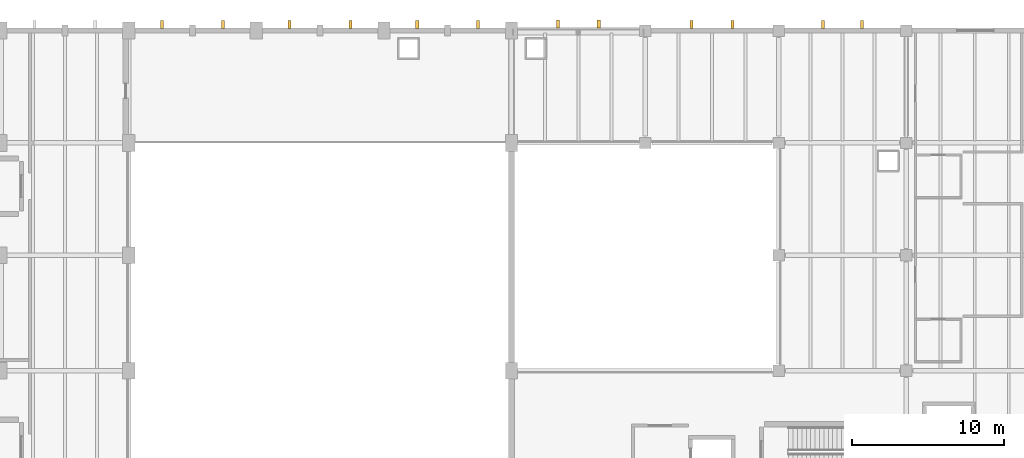
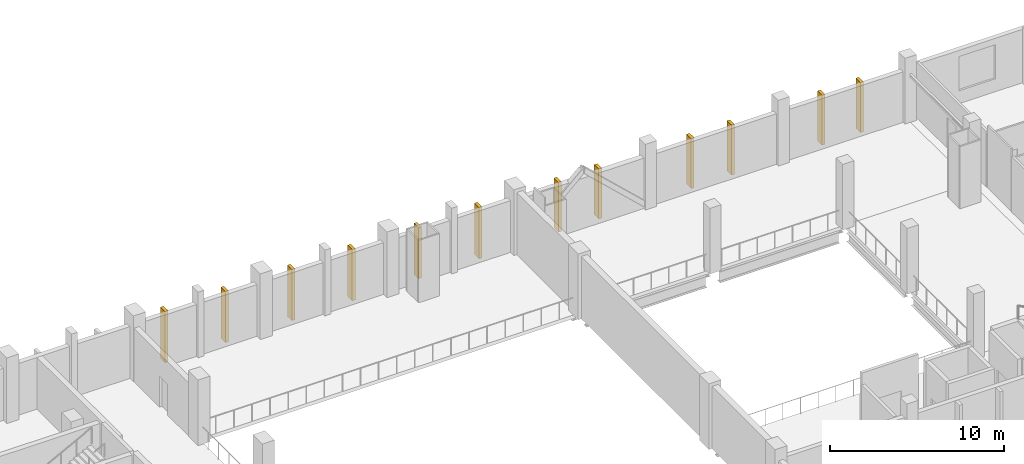
# One storey, part 133 of 136: 12 shading devices.
"""IFC4 building model written with IfcOpenShell, lengths in metres."""

from ifc_helpers import new_model, si_unit, direction, frame, origin, origin_2d, place, context, subcontext, project, spatial, rectangle, extrude, material, layer, layer_set, type_object, element, save


model = new_model("IFC4")

# Units and contexts
model_context = context("Model", 3, precision=1e-05, world=origin(), true_north=direction((0.0, 1.0)))
body_context = subcontext(model_context, "Body", "Model", "MODEL_VIEW")
ifc_project = project(units=[si_unit("LENGTHUNIT", "METRE"), si_unit("AREAUNIT", "SQUARE_METRE"), si_unit("VOLUMEUNIT", "CUBIC_METRE"), si_unit("PLANEANGLEUNIT", "RADIAN"), si_unit("MASSUNIT", "GRAM", prefix="KILO")], contexts=[model_context])

# Site, building, storey
site_placement = place(None, origin())
site = spatial("IfcSite", under=ifc_project, at=site_placement, CompositionType="ELEMENT")
building_placement = place(site_placement, origin())
building = spatial("IfcBuilding", under=site, at=building_placement, Name="Shengluoqiao Park Theatre", CompositionType="ELEMENT")
storey_placement = place(building_placement, frame((0.0, 0.0, 10.0)))
storey = spatial("IfcBuildingStorey", under=building, at=storey_placement, Name="L02", CompositionType="ELEMENT", Elevation=10.0)

# Shading devices
ifc_material = material(Name="Concrete C45", Category="concrete")
ifc_layer = layer(ifc_material, 0.199951171875, Name="Concrete C45")
ifc_layer_set = layer_set([ifc_layer], Name="Concrete C45")
shading_device_type = type_object("IfcShadingDeviceType", Name="ENV-FIN-520x200", PredefinedType="USERDEFINED", material=ifc_layer_set)
for number, where, z_axis, x_axis, name in (
    (1, (63.39990234375, 114.409912109375, 0.02001953125), (0.0, 0.0, 1.0), (0.0, 1.0, 0.0), "L02 Vertical Concrete Acoustic Rib 0034"),
    (2, (67.39990234375, 114.409912109375, 0.02001953125), (0.0, 0.0, 1.0), (0.0, 1.0, 0.0), "L02 Vertical Concrete Acoustic Rib 0035"),
    (3, (71.800048828125, 114.409912109375, 0.02001953125), (0.0, 0.0, 1.0), (0.0, 1.0, 0.0), "L02 Vertical Concrete Acoustic Rib 0036"),
    (4, (75.800048828125, 114.409912109375, 0.02001953125), (0.0, 0.0, 1.0), (0.0, 1.0, 0.0), "L02 Vertical Concrete Acoustic Rib 0037"),
    (5, (80.199951171875, 114.409912109375, 0.02001953125), (0.0, 0.0, 1.0), (0.0, 1.0, 0.0), "L02 Vertical Concrete Acoustic Rib 0038"),
    (6, (84.199951171875, 114.409912109375, 0.02001953125), (0.0, 0.0, 1.0), (0.0, 1.0, 0.0), "L02 Vertical Concrete Acoustic Rib 0039"),
):
    element("IfcShadingDevice", number, at=place(storey_placement, frame(where, z_axis=z_axis, x_axis=x_axis)), inside=storey, type_object=shading_device_type, Name=name, ObjectType="FIN", PredefinedType="USERDEFINED", context=body_context, shape_type="SweptSolid", body=[
        extrude(rectangle(XDim=0.52001953125, YDim=0.199951171875, at=origin_2d()), origin(), (0.0, 0.0, 1.0), 3.587890625),
    ])
for number, where, z_axis, x_axis, name in (
    (7, (89.476318359375, 114.43505859375, 0.02001953125), (0.0, 0.0, 1.0), (0.0, 1.0, 0.0), "L02 Vertical Concrete Acoustic Rib 0072"),
    (8, (92.148681640625, 114.43505859375, 0.02001953125), (0.0, 0.0, 1.0), (0.0, 1.0, 0.0), "L02 Vertical Concrete Acoustic Rib 0073"),
):
    element("IfcShadingDevice", number, at=place(storey_placement, frame(where, z_axis=z_axis, x_axis=x_axis)), inside=storey, type_object=shading_device_type, Name=name, ObjectType="FIN", PredefinedType="USERDEFINED", context=body_context, shape_type="SweptSolid", body=[
        extrude(rectangle(XDim=0.52001953125, YDim=0.199951171875, at=origin_2d()), origin(), (0.0, 0.0, 1.0), 3.488037109375),
    ])
for number, where, z_axis, x_axis, name in (
    (9, (98.259765625, 114.409912109375, 0.02001953125), (0.0, 0.0, 1.0), (0.0, 1.0, 0.0), "L02 Vertical Concrete Acoustic Rib 0074"),
    (10, (100.940185546875, 114.409912109375, 0.02001953125), (0.0, 0.0, 1.0), (0.0, 1.0, 0.0), "L02 Vertical Concrete Acoustic Rib 0075"),
    (11, (106.92626953125, 114.409912109375, 0.02001953125), (0.0, 0.0, 1.0), (0.0, 1.0, 0.0), "L02 Vertical Concrete Acoustic Rib 0076"),
    (12, (109.4736328125, 114.409912109375, 0.02001953125), (0.0, 0.0, 1.0), (0.0, 1.0, 0.0), "L02 Vertical Concrete Acoustic Rib 0077"),
):
    element("IfcShadingDevice", number, at=place(storey_placement, frame(where, z_axis=z_axis, x_axis=x_axis)), inside=storey, type_object=shading_device_type, Name=name, ObjectType="FIN", PredefinedType="USERDEFINED", context=body_context, shape_type="SweptSolid", body=[
        extrude(rectangle(XDim=0.52001953125, YDim=0.199951171875, at=origin_2d()), origin(), (0.0, 0.0, 1.0), 3.498046875),
    ])

save(model, "model.ifc")
